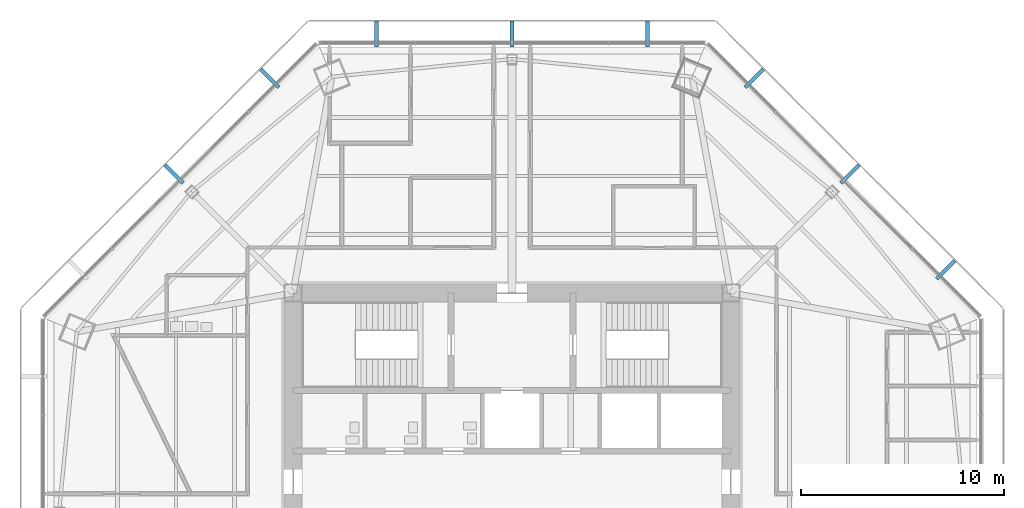
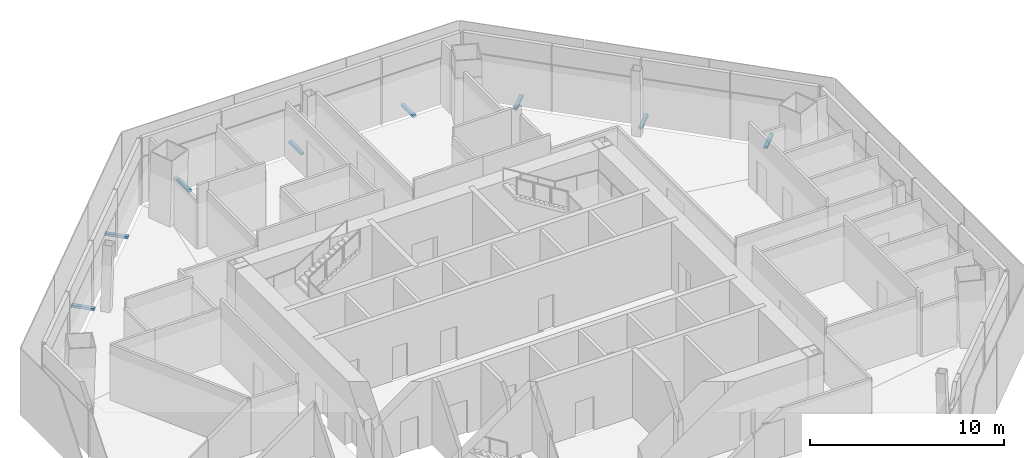
# One storey, part 12 of 15: 8 discrete accessories.
"""IFC4 building model written with IfcOpenShell, lengths in metres."""

from ifc_helpers import new_model, si_unit, direction, frame, origin, origin_2d, place, context, subcontext, project, spatial, rectangle, extrude, source, transform, mapped, material, type_object, type_shapes, element, save


model = new_model("IFC4")

# Units and contexts
model_context = context("Model", 3, precision=1e-05, world=origin(), true_north=direction((0.0, 1.0)))
body_context = subcontext(model_context, "Body", "Model", "MODEL_VIEW")
ifc_project = project(units=[si_unit("LENGTHUNIT", "METRE"), si_unit("AREAUNIT", "SQUARE_METRE"), si_unit("VOLUMEUNIT", "CUBIC_METRE"), si_unit("PLANEANGLEUNIT", "RADIAN"), si_unit("MASSUNIT", "GRAM", prefix="KILO")], contexts=[model_context])

# Site, building, storey
site_placement = place(None, origin())
site = spatial("IfcSite", under=ifc_project, at=site_placement, CompositionType="ELEMENT")
building_placement = place(site_placement, origin())
building = spatial("IfcBuilding", under=site, at=building_placement, Name="Mashrafa Tower", CompositionType="ELEMENT")
storey_placement = place(building_placement, frame((0.0, 0.0, 172.199951171875)))
storey = spatial("IfcBuildingStorey", under=building, at=storey_placement, Name="L39", CompositionType="ELEMENT", Elevation=172.199951171875)

# Discrete accessories
ifc_material = material(Name="Stainless steel screen bracket", Category="steel")
discrete_accessory_type = type_object("IfcDiscreteAccessoryType", Name="Screen support bracket 200 x 150", PredefinedType="BRACKET", material=ifc_material)
shared_shape = source(origin(), body_context, "Body", "SweptSolid", [
    extrude(rectangle(XDim=0.199951171875, YDim=1.27001953125, at=origin_2d()), origin(), (0.0, 0.0, 1.0), 0.14990234375),
])
type_shapes(discrete_accessory_type, [shared_shape])
for number, where, z_axis, x_axis, name in (
    (1, (21.395751953125, 11.94921875, -0.14990234375), (0.0, 0.0, 1.0), (-0.707106781187, 0.707106781187, 0.0), "Screen support bracket L39 north-east 1"),
    (2, (16.67236328125, 16.67236328125, -0.14990234375), (0.0, 0.0, 1.0), (-0.707106781187, 0.707106781187, 0.0), "Screen support bracket L39 north-east 2"),
    (3, (11.94921875, 21.395751953125, -0.14990234375), (0.0, 0.0, 1.0), (-0.707106781187, 0.707106781187, 0.0), "Screen support bracket L39 north-east 3"),
    (4, (6.6796875, 23.578369140625, -0.14990234375), (0.0, 0.0, 1.0), (-1.0, 0.0, 0.0), "Screen support bracket L39 north 1"),
    (5, (0.0, 23.578369140625, -0.14990234375), (0.0, 0.0, 1.0), (-1.0, 0.0, 0.0), "Screen support bracket L39 north 2"),
    (6, (-6.6796875, 23.578369140625, -0.14990234375), (0.0, 0.0, 1.0), (-1.0, 0.0, 0.0), "Screen support bracket L39 north 3"),
    (7, (-11.94921875, 21.395751953125, -0.14990234375), (0.0, 0.0, 1.0), (-0.707106781187, -0.707106781187, 0.0), "Screen support bracket L39 north-west 1"),
    (8, (-16.67236328125, 16.67236328125, -0.14990234375), (0.0, 0.0, 1.0), (-0.707106781187, -0.707106781187, 0.0), "Screen support bracket L39 north-west 2"),
):
    element("IfcDiscreteAccessory", number, at=place(storey_placement, frame(where, z_axis=z_axis, x_axis=x_axis)), inside=storey, type_object=discrete_accessory_type, Name=name, PredefinedType="BRACKET", context=body_context, shape_type="MappedRepresentation", body=[
        mapped(shared_shape, transform((0.0, 0.0, 0.0))),
    ])

save(model, "model.ifc")
